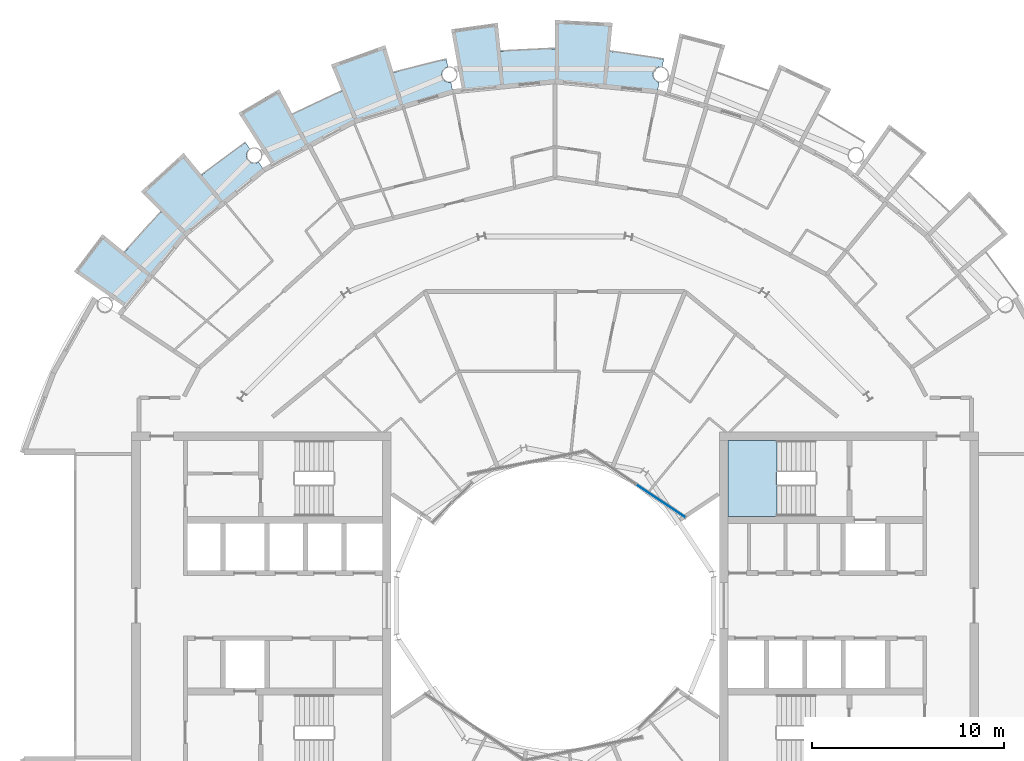
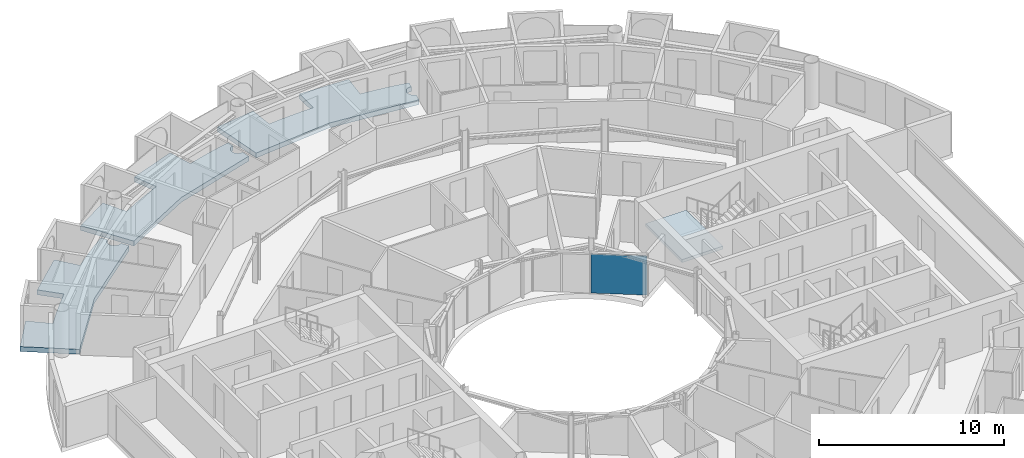
# One storey, part 13 of 29: 4 slabs, 1 plate, 2 elements without a shape of their own.
"""IFC4 building model written with IfcOpenShell, lengths in metres."""

import ifcopenshell
import ifcopenshell.guid

model = None  # the IFC model being written
_history = None  # IfcOwnerHistory: only IFC2X3 demands one
_inside = {}  # id of a spatial element -> (the spatial element, [elements in it])
_under = {}  # id of a project, library or spatial element -> (it, [spatial elements below it])
_declared = {}  # id of a project -> (the project, [libraries it declares])
_typed = {}  # id of a type object -> (the type object, [elements of that type])
_made_of = {}  # id of a material, layer set ... -> (it, [elements and type objects made of it])


def new_model(schema):
    """Start an empty IFC model of exactly this schema.

    Asked for "IFC4X3", IfcOpenShell would pick the latest addendum, in which some entities
    have other attributes; the version numbers below select the first issue.
    IFC2X3 requires an IfcOwnerHistory on every rooted entity: one is made here for all.
    """
    global model, _history
    if schema == "IFC4X3":
        model = ifcopenshell.file(schema_version=(4, 3, 0, 0))
    else:
        model = ifcopenshell.file(schema=schema)
    _inside.clear()
    _under.clear()
    _declared.clear()
    _typed.clear()
    _made_of.clear()
    _history = None
    if model.schema == "IFC2X3":
        org = make("IfcOrganization", Name="unknown")
        user = make(
            "IfcPersonAndOrganization",
            ThePerson=make("IfcPerson", FamilyName="unknown"),
            TheOrganization=org,
        )
        app = make(
            "IfcApplication",
            ApplicationDeveloper=org,
            Version="unknown",
            ApplicationFullName="unknown",
            ApplicationIdentifier="unknown",
        )
        _history = make(
            "IfcOwnerHistory",
            OwningUser=user,
            OwningApplication=app,
            ChangeAction="ADDED",
            CreationDate=0,
        )
    return model


def make(cls, **values):
    """One entity of the class cls with the attributes given. An attribute that is None is left unset."""
    return model.create_entity(
        cls, **{name: value for name, value in values.items() if value is not None}
    )


def rooted(cls, **values):
    """An entity with a GlobalId (a new one), such as an element, a storey or a relation."""
    return make(cls, GlobalId=ifcopenshell.guid.new(), OwnerHistory=_history, **values)


def si_unit(unit_type, name, prefix=None):
    """IfcSIUnit, for example si_unit("LENGTHUNIT", "METRE", prefix="MILLI")."""
    return make("IfcSIUnit", UnitType=unit_type, Prefix=prefix, Name=name)


def assignment(units):
    """IfcUnitAssignment: the units of a project."""
    return None if units is None else make("IfcUnitAssignment", Units=units)


def point(xyz):
    """IfcCartesianPoint."""
    return None if xyz is None else make("IfcCartesianPoint", Coordinates=xyz)


def direction(xyz):
    """IfcDirection."""
    return None if xyz is None else make("IfcDirection", DirectionRatios=xyz)


def frame(location, z_axis=None, x_axis=None):
    """IfcAxis2Placement3D, a coordinate frame: its origin and axes. An axis left out is left unset."""
    return make(
        "IfcAxis2Placement3D",
        Location=point(location),
        Axis=direction(z_axis),
        RefDirection=direction(x_axis),
    )


def frame_2d(location, x_axis=None):
    """IfcAxis2Placement2D, a coordinate frame in the plane: its origin and x axis."""
    return make(
        "IfcAxis2Placement2D", Location=point(location), RefDirection=direction(x_axis)
    )


def origin():
    """The frame at (0, 0, 0) with its axes left unset."""
    return frame((0.0, 0.0, 0.0))


def origin_2d():
    """The frame at (0, 0) in the plane with its x axis left unset."""
    return frame_2d((0.0, 0.0))


def place(relative_to, where):
    """IfcLocalPlacement: puts the frame where relative to a parent placement (None: the world)."""
    return make(
        "IfcLocalPlacement", PlacementRelTo=relative_to, RelativePlacement=where
    )


def context(
    kind, dimensions, precision=None, world=None, true_north=None, identifier=None
):
    """IfcGeometricRepresentationContext, for example the 3D "Model" context."""
    return make(
        "IfcGeometricRepresentationContext",
        ContextIdentifier=identifier,
        ContextType=kind,
        CoordinateSpaceDimension=dimensions,
        Precision=precision,
        WorldCoordinateSystem=world,
        TrueNorth=true_north,
    )


def subcontext(parent, identifier, kind, view, scale=None):
    """IfcGeometricRepresentationSubContext, for example "Body" below "Model"."""
    return make(
        "IfcGeometricRepresentationSubContext",
        ContextIdentifier=identifier,
        ContextType=kind,
        ParentContext=parent,
        TargetScale=scale,
        TargetView=view,
    )


def project(units=None, contexts=None):
    """IfcProject with its units and contexts."""
    return rooted(
        "IfcProject",
        Name="project",
        RepresentationContexts=contexts,
        UnitsInContext=assignment(units),
    )


def spatial(cls, under=None, at=None, **own):
    """A site, building, storey or space (cls), placed at a placement, below another one or the project."""
    s = rooted(cls, ObjectPlacement=at, **own)
    if under is not None:
        _under.setdefault(under.id(), (under, []))[1].append(s)
    return s


def polyline(points):
    """IfcPolyline through the points."""
    return make("IfcPolyline", Points=[point(p) for p in points])


def profile(cls, at=None, kind="AREA", **sizes):
    """A parametric profile (cls). Its sizes go by their IFC names, for example OverallWidth=200.0."""
    return make(cls, ProfileType=kind, Position=at, **sizes)


def rectangle(**sizes):
    """IfcRectangleProfileDef."""
    return profile("IfcRectangleProfileDef", **sizes)


def outline(outer, holes=None, kind="AREA"):
    """IfcArbitraryClosedProfileDef: a profile drawn as a closed curve; with holes, ...WithVoids."""
    if holes is None:
        return make("IfcArbitraryClosedProfileDef", ProfileType=kind, OuterCurve=outer)
    return make(
        "IfcArbitraryProfileDefWithVoids",
        ProfileType=kind,
        OuterCurve=outer,
        InnerCurves=holes,
    )


def extrude(swept, where, along, depth):
    """IfcExtrudedAreaSolid: the profile swept, set in the frame where, extruded along a direction by depth."""
    return make(
        "IfcExtrudedAreaSolid",
        SweptArea=swept,
        Position=where,
        ExtrudedDirection=direction(along),
        Depth=depth,
    )


def shape(context_of_items, identifier, shape_type, items):
    """IfcShapeRepresentation: the items that make up one representation, for example the "Body"."""
    return make(
        "IfcShapeRepresentation",
        ContextOfItems=context_of_items,
        RepresentationIdentifier=identifier,
        RepresentationType=shape_type,
        Items=items,
    )


def material(Name=None, Category=None):
    """IfcMaterial."""
    return make("IfcMaterial", Name=Name, Category=Category)


def layer(
    of_material, thickness, ventilated=None, Name=None, Category=None, Priority=None
):
    """IfcMaterialLayer: one layer of a wall or slab, of a material (None: an air gap)."""
    return make(
        "IfcMaterialLayer",
        Material=of_material,
        LayerThickness=thickness,
        IsVentilated=ventilated,
        Name=Name,
        Category=Category,
        Priority=Priority,
    )


def layer_set(layers, Name=None):
    """IfcMaterialLayerSet."""
    return make("IfcMaterialLayerSet", MaterialLayers=layers, LayerSetName=Name)


def made_of(thing, what):
    """Note that an element or type object is made of a material, layer set ...; save() writes the relation."""
    if what is not None:
        _made_of.setdefault(what.id(), (what, []))[1].append(thing)
    return thing


def type_object(cls, material=None, **own):
    """A type object (cls), such as IfcWallType, which elements share."""
    return made_of(rooted(cls, **own), material)


def element(
    cls,
    number,
    at=None,
    inside=None,
    cuts=None,
    type_object=None,
    material=None,
    context=None,
    identifier="Body",
    shape_type=None,
    held_by="IfcProductDefinitionShape",
    body=None,
    shapes=None,
    **own,
):
    """One element of the class cls, such as IfcWall. Its Tag is "e" and its number.

    at: its placement. inside: the storey or other place that contains it. cuts: it is an
    opening in that element (IfcRelVoidsElement). A single representation is given by context,
    identifier, shape_type and body (its items); several are given by shapes. held_by: the class
    of the entity that holds the representations. save() writes the other relations.
    """
    e = rooted(cls, Tag="e%d" % number, ObjectPlacement=at, **own)
    if body is not None:
        shapes = [shape(context, identifier, shape_type, body)]
    if shapes is not None:
        e.Representation = make(held_by, Representations=shapes)
    if inside is not None:
        _inside.setdefault(inside.id(), (inside, []))[1].append(e)
    if cuts is not None:
        rooted(
            "IfcRelVoidsElement", RelatingBuildingElement=cuts, RelatedOpeningElement=e
        )
    if type_object is not None:
        _typed.setdefault(type_object.id(), (type_object, []))[1].append(e)
    return made_of(e, material)


def aggregate(whole, parts):
    """IfcRelAggregates: a whole, such as a stair, and the parts it consists of."""
    return rooted("IfcRelAggregates", RelatingObject=whole, RelatedObjects=parts)


def save(model, path):
    """Write the relations noted so far, then the file.

    IfcRelAggregates (storeys below a building ...), IfcRelContainedInSpatialStructure (elements
    in a storey), IfcRelDefinesByType, IfcRelAssociatesMaterial and IfcRelDeclares: one each for
    every whole, place, type object, material and project.
    """
    for whole, parts in _under.values():
        aggregate(whole, parts)
    for where, things in _inside.values():
        rooted(
            "IfcRelContainedInSpatialStructure",
            RelatedElements=things,
            RelatingStructure=where,
        )
    for kind, things in _typed.values():
        rooted("IfcRelDefinesByType", RelatedObjects=things, RelatingType=kind)
    for what, things in _made_of.values():
        rooted("IfcRelAssociatesMaterial", RelatedObjects=things, RelatingMaterial=what)
    for by, libraries in _declared.values():
        rooted("IfcRelDeclares", RelatingContext=by, RelatedDefinitions=libraries)
    model.write(path)


model = new_model("IFC4")

# Units and contexts
model_context = context("Model", 3, precision=1e-05, world=origin(), true_north=direction((0.0, 1.0)))
body_context = subcontext(model_context, "Body", "Model", "MODEL_VIEW")
ifc_project = project(units=[si_unit("LENGTHUNIT", "METRE"), si_unit("AREAUNIT", "SQUARE_METRE"), si_unit("VOLUMEUNIT", "CUBIC_METRE"), si_unit("PLANEANGLEUNIT", "RADIAN"), si_unit("MASSUNIT", "GRAM", prefix="KILO")], contexts=[model_context])

# Site, building, storey
site_placement = place(None, origin())
site = spatial("IfcSite", under=ifc_project, at=site_placement, CompositionType="ELEMENT")
building_placement = place(site_placement, origin())
building = spatial("IfcBuilding", under=site, at=building_placement, Name="Maasbend Ring Residences", CompositionType="ELEMENT")
storey_placement = place(building_placement, frame((0.0, 0.0, 212.699951171875)))
storey = spatial("IfcBuildingStorey", under=building, at=storey_placement, Name="L61", CompositionType="ELEMENT", Elevation=212.699951171875)

# Stair, slab
ifc_material_1 = material(Name="Concrete C40/50", Category="concrete")
stair_type = type_object("IfcStairType", Name="CORE STAIR 18 RISERS", PredefinedType="HALF_TURN_STAIR", material=ifc_material_1)
stair_placement = place(storey_placement, origin())
stair = element("IfcStair", 1, at=stair_placement, inside=storey, type_object=stair_type, Name="L61 Exit stair ST-E1", PredefinedType="HALF_TURN_STAIR")
ifc_material_2 = material(Name="Concrete C40/50", Category="concrete")
ifc_layer_1 = layer(ifc_material_2, 0.199951171875)
ifc_layer_set_1 = layer_set([ifc_layer_1], Name="Concrete C40/50")
slab_type_1 = type_object("IfcSlabType", Name="CORE STAIR LANDING 200", PredefinedType="LANDING", material=ifc_layer_set_1)
slab_1_placement = place(storey_placement, frame((0.0, 0.0, 1.324951171875)))
slab_1 = element("IfcSlab", 2, at=slab_1_placement, type_object=slab_type_1, Name="ST-E1 landing 1", PredefinedType="LANDING", context=body_context, shape_type="SweptSolid", body=[
    extrude(outline(polyline([(11.550048828125, 8.60009765625), (9.0, 8.60009765625), (9.0, 4.64990234375), (11.550048828125, 4.64990234375), (11.550048828125, 8.60009765625)])), origin(), (0.0, 0.0, 1.0), 0.2001953125),
])
aggregate(stair, [slab_1])

# Curtain wall, plate
ifc_material_3 = material(Name="Aluminium and clear glass", Category="aluminium")
ifc_layer_2 = layer(ifc_material_3, 0.179931640625)
ifc_layer_set_2 = layer_set([ifc_layer_2], Name="CW-W")
curtain_wall_type = type_object("IfcCurtainWallType", Name="CW-W", PredefinedType="NOTDEFINED", material=ifc_layer_set_2)
curtain_wall_placement = place(storey_placement, origin())
curtain_wall = element("IfcCurtainWall", 3, at=curtain_wall_placement, inside=storey, type_object=curtain_wall_type, Name="Well curtain wall N1", PredefinedType="NOTDEFINED")
ifc_material_4 = material(Name="Glass clear laminated", Category="glass")
ifc_layer_3 = layer(ifc_material_4, 0.031982421875)
ifc_layer_set_3 = layer_set([ifc_layer_3], Name="CWP-W")
plate_type = type_object("IfcPlateType", Name="CWP-W", PredefinedType="CURTAIN_PANEL", material=ifc_layer_set_3)
plate_placement = place(storey_placement, frame((5.51123046875, 5.44580078125, 0.0), z_axis=(0.0, 0.0, 1.0), x_axis=(-0.831469612303, 0.55557023302, 0.0)))
plate = element("IfcPlate", 4, at=plate_placement, type_object=plate_type, Name="Glass panel well face", PredefinedType="CURTAIN_PANEL", context=body_context, shape_type="SweptSolid", body=[
    extrude(rectangle(XDim=3.053955078125, YDim=0.031982421875, at=origin_2d()), origin(), (0.0, 0.0, 1.0), 2.580078125),
])
aggregate(curtain_wall, [plate])

# Slabs
ifc_material_5 = material(Name="Concrete C40/50", Category="concrete")
ifc_layer_4 = layer(ifc_material_5, 0.199951171875)
ifc_layer_set_4 = layer_set([ifc_layer_4], Name="Concrete C40/50")
slab_type_2 = type_object("IfcSlabType", Name="SL-LOGGIA", PredefinedType="FLOOR", material=ifc_layer_set_4)
slab_2_placement = place(storey_placement, frame((0.0, 0.0, -0.349853515625)))
element("IfcSlab", 5, at=slab_2_placement, inside=storey, type_object=slab_type_2, Name="Loggia floor 2", PredefinedType="FLOOR", context=body_context, shape_type="SweptSolid", body=[
    extrude(outline(polyline([(-13.6708984375, 25.575927734375), (-13.6708984375, 25.575927734375), (-13.6708984375, 25.575927734375), (-13.6708984375, 25.575927734375), (-13.6708984375, 25.575927734375), (-13.6708984375, 25.575927734375), (-13.6708984375, 25.575927734375), (-13.669921875, 25.575927734375), (-13.669921875, 25.575927734375), (-13.669921875, 25.575927734375), (-13.669921875, 25.575927734375), (-13.669921875, 25.575927734375), (-13.669921875, 25.575927734375), (-13.669921875, 25.575927734375), (-13.669921875, 25.575927734375), (-13.669921875, 25.575927734375), (-13.669921875, 25.575927734375), (-12.825927734375, 26.009033203125), (-12.825927734375, 26.009033203125), (-11.968994140625, 26.4150390625), (-11.968994140625, 26.4150390625), (-11.097900390625, 26.7919921875), (-11.097900390625, 26.7919921875), (-11.097900390625, 26.7919921875), (-11.097900390625, 26.7919921875), (-11.097900390625, 26.7919921875), (-11.097900390625, 26.7919921875), (-11.097900390625, 26.7919921875), (-11.097900390625, 26.79296875), (-11.097900390625, 26.79296875), (-11.097900390625, 26.79296875), (-11.097900390625, 26.79296875), (-11.097900390625, 26.79296875), (-11.097900390625, 26.79296875), (-11.097900390625, 26.79296875), (-11.097900390625, 26.79296875), (-11.097900390625, 26.79296875), (-11.097900390625, 26.79296875), (-11.672119140625, 28.177978515625), (-11.672119140625, 28.177978515625), (-11.672119140625, 28.177978515625), (-8.85400390625, 29.18701171875), (-8.85400390625, 29.18701171875), (-8.85400390625, 29.18701171875), (-8.41796875, 27.751953125), (-8.41796875, 27.751953125), (-8.41796875, 27.751953125), (-8.41796875, 27.751953125), (-8.41796875, 27.751953125), (-8.41796875, 27.751953125), (-8.41796875, 27.751953125), (-8.41796875, 27.7509765625), (-8.41796875, 27.7509765625), (-8.41796875, 27.7509765625), (-8.41796875, 27.7509765625), (-8.41796875, 27.7509765625), (-8.41796875, 27.7509765625), (-8.41796875, 27.7509765625), (-8.41796875, 27.7509765625), (-8.41796875, 27.7509765625), (-8.41796875, 27.7509765625), (-7.506103515625, 28.011962890625), (-7.506103515625, 28.011962890625), (-6.5849609375, 28.241943359375), (-6.5849609375, 28.241943359375), (-5.657958984375, 28.443115234375), (-5.657958984375, 28.443115234375), (-5.657958984375, 28.443115234375), (-5.5810546875, 28.056884765625), (-5.591064453125, 28.054931640625), (-5.60009765625, 28.052001953125), (-5.610107421875, 28.050048828125), (-5.6201171875, 28.047119140625), (-5.62890625, 28.0439453125), (-5.637939453125, 28.041015625), (-5.64794921875, 28.037109375), (-5.656982421875, 28.033935546875), (-5.666015625, 28.030029296875), (-5.675048828125, 28.02587890625), (-5.68408203125, 28.02099609375), (-5.693115234375, 28.01708984375), (-5.701904296875, 28.011962890625), (-5.7099609375, 28.007080078125), (-5.718994140625, 28.001953125), (-5.72705078125, 27.99609375), (-5.736083984375, 27.989990234375), (-5.743896484375, 27.985107421875), (-5.751953125, 27.97900390625), (-5.759033203125, 27.971923828125), (-5.76708984375, 27.966064453125), (-5.77392578125, 27.958984375), (-5.781982421875, 27.952880859375), (-5.7890625, 27.946044921875), (-5.7958984375, 27.93798828125), (-5.802978515625, 27.930908203125), (-5.80908203125, 27.924072265625), (-5.81591796875, 27.916015625), (-5.822021484375, 27.907958984375), (-5.827880859375, 27.89990234375), (-5.833984375, 27.89208984375), (-5.839111328125, 27.884033203125), (-5.844970703125, 27.8759765625), (-5.85009765625, 27.866943359375), (-5.85498046875, 27.85791015625), (-5.860107421875, 27.85009765625), (-5.864990234375, 27.841064453125), (-5.868896484375, 27.83203125), (-5.873046875, 27.822998046875), (-5.876953125, 27.81396484375), (-5.881103515625, 27.803955078125), (-5.884033203125, 27.794921875), (-5.886962890625, 27.785888671875), (-5.889892578125, 27.77587890625), (-5.89306640625, 27.76708984375), (-5.89599609375, 27.757080078125), (-5.89794921875, 27.7470703125), (-5.89990234375, 27.737060546875), (-5.902099609375, 27.72802734375), (-5.904052734375, 27.718017578125), (-5.905029296875, 27.7080078125), (-5.906005859375, 27.697998046875), (-5.906982421875, 27.68798828125), (-5.907958984375, 27.677978515625), (-5.907958984375, 27.66796875), (-5.907958984375, 27.657958984375), (-5.907958984375, 27.64794921875), (-5.907958984375, 27.637939453125), (-5.906982421875, 27.6279296875), (-5.906005859375, 27.617919921875), (-5.905029296875, 27.60791015625), (-5.904052734375, 27.597900390625), (-5.902099609375, 27.589111328125), (-5.89990234375, 27.5791015625), (-5.89794921875, 27.569091796875), (-5.89599609375, 27.55908203125), (-5.89306640625, 27.550048828125), (-5.889892578125, 27.5400390625), (-5.886962890625, 27.531005859375), (-5.884033203125, 27.52099609375), (-5.881103515625, 27.511962890625), (-5.876953125, 27.5029296875), (-5.873046875, 27.492919921875), (-5.868896484375, 27.48388671875), (-5.864990234375, 27.47509765625), (-5.860107421875, 27.466064453125), (-5.85498046875, 27.4580078125), (-5.85009765625, 27.448974609375), (-5.844970703125, 27.44091796875), (-5.839111328125, 27.431884765625), (-5.833984375, 27.424072265625), (-5.827880859375, 27.416015625), (-5.822021484375, 27.407958984375), (-5.81591796875, 27.39990234375), (-5.80908203125, 27.39306640625), (-5.802978515625, 27.385009765625), (-5.7958984375, 27.3779296875), (-5.7890625, 27.37109375), (-5.781982421875, 27.364013671875), (-5.77392578125, 27.35693359375), (-5.76708984375, 27.35009765625), (-5.759033203125, 27.343994140625), (-5.751953125, 27.337890625), (-5.743896484375, 27.33203125), (-5.736083984375, 27.325927734375), (-5.72705078125, 27.320068359375), (-5.718994140625, 27.31494140625), (-5.7099609375, 27.30908203125), (-5.701904296875, 27.303955078125), (-5.693115234375, 27.300048828125), (-5.68408203125, 27.294921875), (-5.675048828125, 27.291015625), (-5.666015625, 27.285888671875), (-5.656982421875, 27.282958984375), (-5.64794921875, 27.279052734375), (-5.637939453125, 27.27490234375), (-5.62890625, 27.27197265625), (-5.6201171875, 27.26904296875), (-5.610107421875, 27.26611328125), (-5.60009765625, 27.263916015625), (-5.591064453125, 27.260986328125), (-5.5810546875, 27.259033203125), (-5.571044921875, 27.258056640625), (-5.56103515625, 27.256103515625), (-5.551025390625, 27.2548828125), (-5.541015625, 27.25390625), (-5.531005859375, 27.2529296875), (-5.52099609375, 27.251953125), (-5.510986328125, 27.251953125), (-5.501953125, 27.251953125), (-5.491943359375, 27.251953125), (-5.48193359375, 27.251953125), (-5.471923828125, 27.2529296875), (-5.4619140625, 27.25390625), (-5.451904296875, 27.2548828125), (-5.44189453125, 27.256103515625), (-5.431884765625, 27.258056640625), (-5.422119140625, 27.259033203125), (-5.325927734375, 26.77490234375), (-5.325927734375, 26.77490234375), (-5.325927734375, 26.77490234375), (-7.886962890625, 25.9990234375), (-10.447021484375, 25.221923828125), (-10.447021484375, 25.221923828125), (-10.447021484375, 25.221923828125), (-12.806884765625, 23.9609375), (-14.73291015625, 22.930908203125), (-14.73291015625, 22.930908203125), (-14.73291015625, 22.930908203125), (-16.487060546875, 25.659912109375), (-16.487060546875, 25.659912109375), (-16.487060546875, 25.659912109375), (-14.3779296875, 26.89892578125), (-14.3779296875, 26.89892578125), (-14.3779296875, 26.89892578125), (-13.6708984375, 25.575927734375)])), origin(), (0.0, 0.0, 1.0), 0.31982421875),
])
slab_3_placement = place(storey_placement, frame((0.0, 0.0, -0.349853515625)))
element("IfcSlab", 6, at=slab_3_placement, inside=storey, type_object=slab_type_2, Name="Loggia floor 3", PredefinedType="FLOOR", context=body_context, shape_type="SweptSolid", body=[
    extrude(outline(polyline([(-2.843017578125, 28.861083984375), (-2.843017578125, 28.861083984375), (-2.843017578125, 28.861083984375), (-2.843017578125, 28.861083984375), (-2.842041015625, 28.861083984375), (-2.842041015625, 28.861083984375), (-2.842041015625, 28.861083984375), (-2.842041015625, 28.861083984375), (-2.842041015625, 28.861083984375), (-2.842041015625, 28.860107421875), (-2.842041015625, 28.860107421875), (-2.842041015625, 28.860107421875), (-2.842041015625, 28.860107421875), (-2.842041015625, 28.860107421875), (-2.842041015625, 28.860107421875), (-2.842041015625, 28.860107421875), (-2.842041015625, 28.860107421875), (-1.89697265625, 28.93798828125), (-1.89697265625, 28.93798828125), (-0.948974609375, 28.98388671875), (-0.948974609375, 28.98388671875), (0.0, 29.0), (0.0, 29.0), (0.0, 29.0), (0.0, 29.0), (0.0, 29.0), (0.0, 29.0), (0.0, 29.0), (0.0, 29.0), (0.0, 29.0), (0.0, 29.0), (0.0, 29.0), (0.0, 29.0), (0.0, 29.0), (0.0, 29.0), (0.0, 29.0), (0.0, 29.0), (0.0, 29.0), (0.0, 30.5), (0.0, 30.5), (0.0, 30.5), (2.989990234375, 30.35302734375), (2.989990234375, 30.35302734375), (2.989990234375, 30.35302734375), (2.843017578125, 28.861083984375), (2.843017578125, 28.861083984375), (2.843017578125, 28.861083984375), (2.843017578125, 28.861083984375), (2.843017578125, 28.861083984375), (2.843017578125, 28.861083984375), (2.843017578125, 28.861083984375), (2.843017578125, 28.861083984375), (2.843017578125, 28.860107421875), (2.843017578125, 28.860107421875), (2.843017578125, 28.860107421875), (2.843017578125, 28.860107421875), (2.843017578125, 28.860107421875), (2.843017578125, 28.860107421875), (2.843017578125, 28.860107421875), (2.843017578125, 28.860107421875), (2.843017578125, 28.860107421875), (3.784912109375, 28.751953125), (3.784912109375, 28.751953125), (4.72412109375, 28.613037109375), (4.72412109375, 28.613037109375), (5.657958984375, 28.443115234375), (5.657958984375, 28.443115234375), (5.657958984375, 28.443115234375), (5.5810546875, 28.056884765625), (5.5810546875, 28.056884765625), (5.571044921875, 28.05908203125), (5.56103515625, 28.06005859375), (5.551025390625, 28.06201171875), (5.541015625, 28.06298828125), (5.531005859375, 28.06298828125), (5.52099609375, 28.06396484375), (5.510986328125, 28.06396484375), (5.501953125, 28.06494140625), (5.491943359375, 28.06396484375), (5.48193359375, 28.06396484375), (5.471923828125, 28.06298828125), (5.4619140625, 28.06298828125), (5.451904296875, 28.06201171875), (5.44189453125, 28.06005859375), (5.431884765625, 28.05908203125), (5.422119140625, 28.056884765625), (5.412109375, 28.054931640625), (5.403076171875, 28.052001953125), (5.39306640625, 28.050048828125), (5.383056640625, 28.047119140625), (5.3740234375, 28.0439453125), (5.364990234375, 28.041015625), (5.35498046875, 28.037109375), (5.345947265625, 28.033935546875), (5.3369140625, 28.030029296875), (5.327880859375, 28.02587890625), (5.319091796875, 28.02099609375), (5.31005859375, 28.01708984375), (5.301025390625, 28.011962890625), (5.29296875, 28.007080078125), (5.283935546875, 28.001953125), (5.27587890625, 27.99609375), (5.26708984375, 27.989990234375), (5.259033203125, 27.985107421875), (5.2509765625, 27.97900390625), (5.243896484375, 27.971923828125), (5.236083984375, 27.966064453125), (5.22900390625, 27.958984375), (5.220947265625, 27.952880859375), (5.214111328125, 27.946044921875), (5.20703125, 27.93798828125), (5.199951171875, 27.930908203125), (5.194091796875, 27.924072265625), (5.18701171875, 27.916015625), (5.180908203125, 27.907958984375), (5.175048828125, 27.89990234375), (5.1689453125, 27.89208984375), (5.1640625, 27.884033203125), (5.157958984375, 27.8759765625), (5.153076171875, 27.866943359375), (5.14794921875, 27.85791015625), (5.14306640625, 27.85009765625), (5.137939453125, 27.841064453125), (5.134033203125, 27.83203125), (5.1298828125, 27.822998046875), (5.1259765625, 27.81396484375), (5.1220703125, 27.803955078125), (5.118896484375, 27.794921875), (5.115966796875, 27.785888671875), (5.113037109375, 27.77587890625), (5.110107421875, 27.76708984375), (5.10693359375, 27.757080078125), (5.10498046875, 27.7470703125), (5.10302734375, 27.737060546875), (5.10107421875, 27.72802734375), (5.09912109375, 27.718017578125), (5.097900390625, 27.7080078125), (5.096923828125, 27.697998046875), (5.095947265625, 27.68798828125), (5.094970703125, 27.677978515625), (5.094970703125, 27.66796875), (5.094970703125, 27.657958984375), (5.094970703125, 27.64794921875), (5.094970703125, 27.637939453125), (5.095947265625, 27.6279296875), (5.096923828125, 27.617919921875), (5.097900390625, 27.60791015625), (5.09912109375, 27.597900390625), (5.10107421875, 27.589111328125), (5.10302734375, 27.5791015625), (5.10498046875, 27.569091796875), (5.10693359375, 27.55908203125), (5.110107421875, 27.550048828125), (5.113037109375, 27.5400390625), (5.115966796875, 27.531005859375), (5.118896484375, 27.52099609375), (5.1220703125, 27.511962890625), (5.1259765625, 27.5029296875), (5.1298828125, 27.492919921875), (5.134033203125, 27.48388671875), (5.137939453125, 27.47509765625), (5.14306640625, 27.466064453125), (5.14794921875, 27.4580078125), (5.153076171875, 27.448974609375), (5.157958984375, 27.44091796875), (5.1640625, 27.431884765625), (5.1689453125, 27.424072265625), (5.175048828125, 27.416015625), (5.180908203125, 27.407958984375), (5.18701171875, 27.39990234375), (5.194091796875, 27.39306640625), (5.199951171875, 27.385009765625), (5.20703125, 27.3779296875), (5.214111328125, 27.37109375), (5.220947265625, 27.364013671875), (5.22900390625, 27.35693359375), (5.236083984375, 27.35009765625), (5.243896484375, 27.343994140625), (5.2509765625, 27.337890625), (5.259033203125, 27.33203125), (5.26708984375, 27.325927734375), (5.27587890625, 27.320068359375), (5.283935546875, 27.31494140625), (5.29296875, 27.30908203125), (5.301025390625, 27.303955078125), (5.31005859375, 27.300048828125), (5.319091796875, 27.294921875), (5.327880859375, 27.291015625), (5.3369140625, 27.285888671875), (5.345947265625, 27.282958984375), (5.35498046875, 27.279052734375), (5.364990234375, 27.27490234375), (5.3740234375, 27.27197265625), (5.383056640625, 27.26904296875), (5.39306640625, 27.26611328125), (5.403076171875, 27.263916015625), (5.412109375, 27.260986328125), (5.422119140625, 27.259033203125), (5.422119140625, 27.259033203125), (5.325927734375, 26.77490234375), (5.325927734375, 26.77490234375), (5.325927734375, 26.77490234375), (2.6630859375, 27.0380859375), (0.0, 27.300048828125), (0.0, 27.300048828125), (0.0, 27.300048828125), (-2.6630859375, 27.0380859375), (-4.8359375, 26.823974609375), (-4.8359375, 26.823974609375), (-4.8359375, 26.823974609375), (-5.412109375, 30.01611328125), (-5.412109375, 30.01611328125), (-5.412109375, 30.01611328125), (-2.989990234375, 30.35302734375), (-2.989990234375, 30.35302734375), (-2.989990234375, 30.35302734375), (-2.843017578125, 28.861083984375)])), origin(), (0.0, 0.0, 1.0), 0.31982421875),
])
slab_4_placement = place(storey_placement, frame((0.0, 0.0, -0.349853515625)))
element("IfcSlab", 7, at=slab_4_placement, inside=storey, type_object=slab_type_2, Name="Loggia floor 5", PredefinedType="FLOOR", context=body_context, shape_type="SweptSolid", body=[
    extrude(outline(polyline([(-22.41796875, 18.39794921875), (-22.41796875, 18.39794921875), (-22.41796875, 18.39794921875), (-22.41796875, 18.39794921875), (-22.41796875, 18.39794921875), (-22.4169921875, 18.39794921875), (-22.4169921875, 18.39794921875), (-22.4169921875, 18.39794921875), (-22.4169921875, 18.39794921875), (-22.4169921875, 18.39794921875), (-22.4169921875, 18.39794921875), (-22.4169921875, 18.39794921875), (-22.4169921875, 18.39794921875), (-22.4169921875, 18.39794921875), (-22.4169921875, 18.39794921875), (-22.4169921875, 18.39794921875), (-22.4169921875, 18.39794921875), (-21.802978515625, 19.12109375), (-21.802978515625, 19.12109375), (-21.166015625, 19.823974609375), (-21.166015625, 19.823974609375), (-20.506103515625, 20.506103515625), (-20.506103515625, 20.506103515625), (-20.506103515625, 20.506103515625), (-20.506103515625, 20.506103515625), (-20.506103515625, 20.506103515625), (-20.506103515625, 20.506103515625), (-20.506103515625, 20.506103515625), (-20.506103515625, 20.506103515625), (-20.506103515625, 20.506103515625), (-20.506103515625, 20.506103515625), (-20.506103515625, 20.506103515625), (-20.506103515625, 20.506103515625), (-20.506103515625, 20.506103515625), (-20.506103515625, 20.506103515625), (-20.506103515625, 20.506103515625), (-20.506103515625, 20.506103515625), (-20.506103515625, 20.506103515625), (-21.56689453125, 21.56689453125), (-21.56689453125, 21.56689453125), (-21.56689453125, 21.56689453125), (-19.34912109375, 23.576904296875), (-19.34912109375, 23.576904296875), (-19.34912109375, 23.576904296875), (-18.39794921875, 22.41796875), (-18.39794921875, 22.41796875), (-18.39794921875, 22.41796875), (-18.39794921875, 22.41796875), (-18.39794921875, 22.41796875), (-18.39794921875, 22.41796875), (-18.39697265625, 22.41796875), (-18.39697265625, 22.41796875), (-18.39697265625, 22.41796875), (-18.39697265625, 22.41796875), (-18.39697265625, 22.41796875), (-18.39697265625, 22.41796875), (-18.39697265625, 22.41796875), (-18.39697265625, 22.41796875), (-18.39697265625, 22.41796875), (-18.39697265625, 22.41796875), (-18.39697265625, 22.41796875), (-17.654052734375, 23.007080078125), (-17.654052734375, 23.007080078125), (-16.89208984375, 23.572998046875), (-16.89208984375, 23.572998046875), (-16.112060546875, 24.113037109375), (-16.112060546875, 24.113037109375), (-16.112060546875, 24.113037109375), (-15.89306640625, 23.784912109375), (-15.89306640625, 23.784912109375), (-15.90087890625, 23.780029296875), (-15.908935546875, 23.77392578125), (-15.9169921875, 23.76806640625), (-15.925048828125, 23.761962890625), (-15.93310546875, 23.7548828125), (-15.93994140625, 23.7490234375), (-15.947021484375, 23.741943359375), (-15.955078125, 23.735107421875), (-15.9619140625, 23.72802734375), (-15.968017578125, 23.719970703125), (-15.97509765625, 23.712890625), (-15.98095703125, 23.705078125), (-15.988037109375, 23.697021484375), (-15.993896484375, 23.68994140625), (-15.9990234375, 23.680908203125), (-16.0048828125, 23.673095703125), (-16.010986328125, 23.6650390625), (-16.01611328125, 23.656005859375), (-16.02099609375, 23.64794921875), (-16.02587890625, 23.638916015625), (-16.030029296875, 23.6298828125), (-16.034912109375, 23.62109375), (-16.0390625, 23.612060546875), (-16.04296875, 23.60302734375), (-16.0458984375, 23.593994140625), (-16.050048828125, 23.583984375), (-16.052978515625, 23.574951171875), (-16.055908203125, 23.56494140625), (-16.05908203125, 23.555908203125), (-16.06103515625, 23.5458984375), (-16.06396484375, 23.535888671875), (-16.06591796875, 23.527099609375), (-16.068115234375, 23.51708984375), (-16.069091796875, 23.507080078125), (-16.071044921875, 23.4970703125), (-16.072021484375, 23.487060546875), (-16.072021484375, 23.47705078125), (-16.072998046875, 23.467041015625), (-16.072998046875, 23.45703125), (-16.073974609375, 23.447021484375), (-16.072998046875, 23.43701171875), (-16.072998046875, 23.427001953125), (-16.072021484375, 23.4169921875), (-16.072021484375, 23.407958984375), (-16.071044921875, 23.39794921875), (-16.069091796875, 23.387939453125), (-16.068115234375, 23.3779296875), (-16.06591796875, 23.367919921875), (-16.06396484375, 23.35791015625), (-16.06103515625, 23.34912109375), (-16.05908203125, 23.339111328125), (-16.055908203125, 23.3291015625), (-16.052978515625, 23.320068359375), (-16.050048828125, 23.31005859375), (-16.0458984375, 23.301025390625), (-16.04296875, 23.2919921875), (-16.0390625, 23.282958984375), (-16.034912109375, 23.27392578125), (-16.030029296875, 23.264892578125), (-16.02587890625, 23.256103515625), (-16.02099609375, 23.2470703125), (-16.01611328125, 23.238037109375), (-16.010986328125, 23.22998046875), (-16.0048828125, 23.221923828125), (-15.9990234375, 23.212890625), (-15.993896484375, 23.205078125), (-15.988037109375, 23.197021484375), (-15.98095703125, 23.18994140625), (-15.97509765625, 23.181884765625), (-15.968017578125, 23.174072265625), (-15.9619140625, 23.1669921875), (-15.955078125, 23.159912109375), (-15.947021484375, 23.153076171875), (-15.93994140625, 23.14599609375), (-15.93310546875, 23.139892578125), (-15.925048828125, 23.133056640625), (-15.9169921875, 23.126953125), (-15.908935546875, 23.12109375), (-15.90087890625, 23.114990234375), (-15.89306640625, 23.10888671875), (-15.885009765625, 23.10400390625), (-15.8759765625, 23.09912109375), (-15.866943359375, 23.093994140625), (-15.85888671875, 23.089111328125), (-15.85009765625, 23.083984375), (-15.841064453125, 23.080078125), (-15.83203125, 23.075927734375), (-15.822998046875, 23.072021484375), (-15.81298828125, 23.068115234375), (-15.803955078125, 23.06494140625), (-15.794921875, 23.06103515625), (-15.784912109375, 23.05810546875), (-15.77587890625, 23.055908203125), (-15.76611328125, 23.052978515625), (-15.756103515625, 23.051025390625), (-15.74609375, 23.049072265625), (-15.737060546875, 23.047119140625), (-15.72705078125, 23.044921875), (-15.717041015625, 23.0439453125), (-15.70703125, 23.04296875), (-15.697021484375, 23.0419921875), (-15.68701171875, 23.041015625), (-15.677001953125, 23.041015625), (-15.6669921875, 23.041015625), (-15.656982421875, 23.041015625), (-15.64697265625, 23.041015625), (-15.636962890625, 23.0419921875), (-15.626953125, 23.04296875), (-15.616943359375, 23.0439453125), (-15.60693359375, 23.044921875), (-15.597900390625, 23.047119140625), (-15.587890625, 23.049072265625), (-15.577880859375, 23.051025390625), (-15.568115234375, 23.052978515625), (-15.55908203125, 23.055908203125), (-15.549072265625, 23.05810546875), (-15.5400390625, 23.06103515625), (-15.530029296875, 23.06494140625), (-15.52099609375, 23.068115234375), (-15.511962890625, 23.072021484375), (-15.501953125, 23.075927734375), (-15.492919921875, 23.080078125), (-15.48388671875, 23.083984375), (-15.47509765625, 23.089111328125), (-15.467041015625, 23.093994140625), (-15.4580078125, 23.09912109375), (-15.449951171875, 23.10400390625), (-15.44091796875, 23.10888671875), (-15.44091796875, 23.10888671875), (-15.1669921875, 22.698974609375), (-15.1669921875, 22.698974609375), (-15.1669921875, 22.698974609375), (-17.236083984375, 21.001953125), (-19.303955078125, 19.303955078125), (-19.303955078125, 19.303955078125), (-19.303955078125, 19.303955078125), (-21.001953125, 17.236083984375), (-22.386962890625, 15.547119140625), (-22.386962890625, 15.547119140625), (-22.386962890625, 15.547119140625), (-25.051025390625, 17.39794921875), (-25.051025390625, 17.39794921875), (-25.051025390625, 17.39794921875), (-23.576904296875, 19.34912109375), (-23.576904296875, 19.34912109375), (-23.576904296875, 19.34912109375), (-22.41796875, 18.39794921875)])), origin(), (0.0, 0.0, 1.0), 0.31982421875),
])

save(model, "model.ifc")
